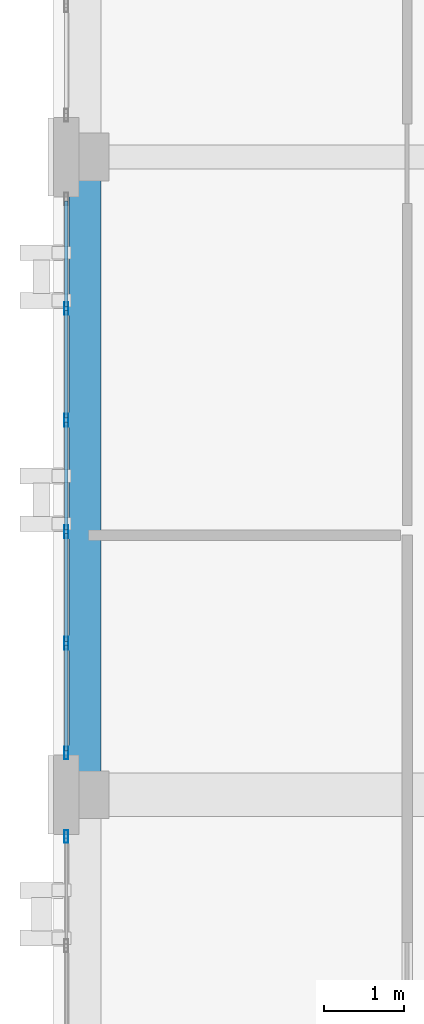
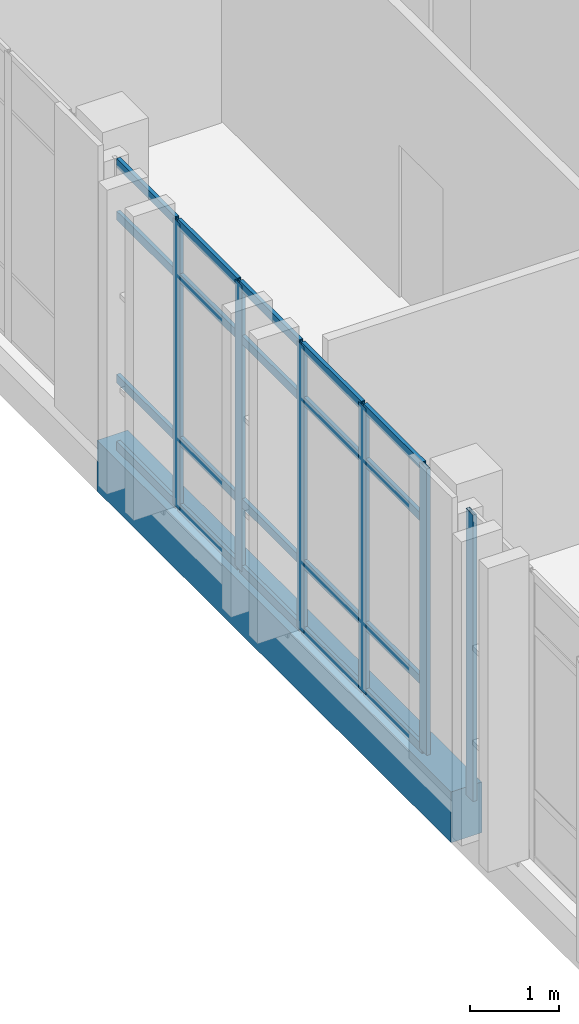
# One storey, part 5 of 19: 26 members, 1 beam, 2 elements without a shape of their own.
"""IFC4 building model written with IfcOpenShell, lengths in metres."""

from ifc_helpers import new_model, si_unit, direction, frame, origin, origin_2d, place, context, subcontext, project, spatial, rectangle, hollow_rectangle, extrude, material, layer, layer_set, material_profile, profile_set, type_object, element, aggregate, save


model = new_model("IFC4")

# Units and contexts
model_context = context("Model", 3, precision=1e-05, world=origin(), true_north=direction((0.0, 1.0)))
body_context = subcontext(model_context, "Body", "Model", "MODEL_VIEW")
ifc_project = project(units=[si_unit("LENGTHUNIT", "METRE"), si_unit("AREAUNIT", "SQUARE_METRE"), si_unit("VOLUMEUNIT", "CUBIC_METRE"), si_unit("PLANEANGLEUNIT", "RADIAN"), si_unit("MASSUNIT", "GRAM", prefix="KILO")], contexts=[model_context])

# Site, building, storey
site_placement = place(None, origin())
site = spatial("IfcSite", under=ifc_project, at=site_placement, CompositionType="ELEMENT")
building_placement = place(site_placement, origin())
building = spatial("IfcBuilding", under=site, at=building_placement, Name="Qalavern Law Courts", CompositionType="ELEMENT")
storey_placement = place(building_placement, frame((0.0, 0.0, 39.60009765625)))
storey = spatial("IfcBuildingStorey", under=building, at=storey_placement, Name="L09", CompositionType="ELEMENT", Elevation=39.60009765625)

# Curtain wall, members
ifc_material_1 = material(Name="Anodised aluminium and insulated glazing", Category="aluminium")
ifc_layer = layer(ifc_material_1, 0.159912109375)
ifc_layer_set = layer_set([ifc_layer], Name="Anodised aluminium and insulated glazing")
curtain_wall_type = type_object("IfcCurtainWallType", Name="ENV-CW-CHAMB", PredefinedType="USERDEFINED", material=ifc_layer_set)
curtain_wall_1_placement = place(storey_placement, origin())
curtain_wall_1 = element("IfcCurtainWall", 1, at=curtain_wall_1_placement, inside=storey, type_object=curtain_wall_type, Name="V4 unitised curtain wall L09 west 3", ObjectType="UNITISED CURTAIN WALL", PredefinedType="USERDEFINED")
ifc_material_2 = material(Name="Anodised aluminium", Category="aluminium")
ifc_material_profile_1 = material_profile(ifc_material_2, hollow_rectangle(XDim=0.048095703125, YDim=0.159912109375, WallThickness=0.00390625, at=origin_2d()), Name="ALU MULLION 48x160")
ifc_profile_set_1 = profile_set([ifc_material_profile_1], Name="Anodised aluminium")
member_type_1 = type_object("IfcMemberType", Name="ENV-CWM-48x160", PredefinedType="MULLION", material=ifc_profile_set_1)
member_1_placement = place(storey_placement, frame((84.362548828125, 55.5, 0.0), z_axis=(0.0, 0.0, 1.0), x_axis=(1.0, 0.0, 0.0)))
member_1 = element("IfcMember", 2, at=member_1_placement, type_object=member_type_1, Name="CW-04 mullion 2", PredefinedType="MULLION", context=body_context, shape_type="SweptSolid", body=[
    extrude(hollow_rectangle(XDim=0.048095703125, YDim=0.159912109375, WallThickness=0.00390625, at=origin_2d()), origin(), (0.0, 0.0, 1.0), 3.949951171875),
])
member_2_placement = place(storey_placement, frame((84.362548828125, 54.10009765625, 0.0), z_axis=(0.0, 0.0, 1.0), x_axis=(1.0, 0.0, 0.0)))
member_2 = element("IfcMember", 3, at=member_2_placement, type_object=member_type_1, Name="CW-04 mullion 3", PredefinedType="MULLION", context=body_context, shape_type="SweptSolid", body=[
    extrude(hollow_rectangle(XDim=0.048095703125, YDim=0.159912109375, WallThickness=0.00390625, at=origin_2d()), origin(), (0.0, 0.0, 1.0), 3.949951171875),
])
member_3_placement = place(storey_placement, frame((84.362548828125, 52.699951171875, 0.0), z_axis=(0.0, 0.0, 1.0), x_axis=(1.0, 0.0, 0.0)))
member_3 = element("IfcMember", 4, at=member_3_placement, type_object=member_type_1, Name="CW-04 mullion 4", PredefinedType="MULLION", context=body_context, shape_type="SweptSolid", body=[
    extrude(hollow_rectangle(XDim=0.048095703125, YDim=0.159912109375, WallThickness=0.00390625, at=origin_2d()), origin(), (0.0, 0.0, 1.0), 3.949951171875),
])
member_4_placement = place(storey_placement, frame((84.362548828125, 51.300048828125, 0.0), z_axis=(0.0, 0.0, 1.0), x_axis=(1.0, 0.0, 0.0)))
member_4 = element("IfcMember", 5, at=member_4_placement, type_object=member_type_1, Name="CW-04 mullion 5", PredefinedType="MULLION", context=body_context, shape_type="SweptSolid", body=[
    extrude(hollow_rectangle(XDim=0.048095703125, YDim=0.159912109375, WallThickness=0.00390625, at=origin_2d()), origin(), (0.0, 0.0, 1.0), 3.949951171875),
])
member_5_placement = place(storey_placement, frame((84.362548828125, 49.924072265625, 0.0), z_axis=(0.0, 0.0, 1.0), x_axis=(1.0, 0.0, 0.0)))
member_5 = element("IfcMember", 6, at=member_5_placement, type_object=member_type_1, Name="CW-04 mullion 6", PredefinedType="MULLION", context=body_context, shape_type="SweptSolid", body=[
    extrude(hollow_rectangle(XDim=0.048095703125, YDim=0.159912109375, WallThickness=0.00390625, at=origin_2d()), origin(), (0.0, 0.0, 1.0), 3.949951171875),
])

# Curtain wall, member
curtain_wall_2_placement = place(storey_placement, origin())
curtain_wall_2 = element("IfcCurtainWall", 7, at=curtain_wall_2_placement, inside=storey, type_object=curtain_wall_type, Name="V4 unitised curtain wall L09 west 4", ObjectType="UNITISED CURTAIN WALL", PredefinedType="USERDEFINED")
member_6_placement = place(storey_placement, frame((84.362548828125, 48.8759765625, 0.0), z_axis=(0.0, 0.0, 1.0), x_axis=(1.0, 0.0, 0.0)))
member_6 = element("IfcMember", 8, at=member_6_placement, type_object=member_type_1, Name="CW-04 mullion 1", PredefinedType="MULLION", context=body_context, shape_type="SweptSolid", body=[
    extrude(hollow_rectangle(XDim=0.048095703125, YDim=0.159912109375, WallThickness=0.00390625, at=origin_2d()), origin(), (0.0, 0.0, 1.0), 3.949951171875),
])
aggregate(curtain_wall_2, [member_6])

# Member
ifc_material_profile_2 = material_profile(ifc_material_2, hollow_rectangle(XDim=0.048095703125, YDim=0.1201171875, WallThickness=0.00390625, at=origin_2d()), Name="ALU TRANSOM 48x120")
ifc_profile_set_2 = profile_set([ifc_material_profile_2], Name="Anodised aluminium")
member_type_2 = type_object("IfcMemberType", Name="ENV-CWT-48x120", PredefinedType="USERDEFINED", material=ifc_profile_set_2)
member_7_placement = place(storey_placement, frame((84.362548828125, 56.85205078125, 0.02392578125), z_axis=(0.0, -1.0, 0.0), x_axis=(1.0, 0.0, 0.0)))
member_7 = element("IfcMember", 9, at=member_7_placement, type_object=member_type_2, Name="CW-04 transom 1.1", ObjectType="TRANSOM", PredefinedType="USERDEFINED", context=body_context, shape_type="SweptSolid", body=[
    extrude(hollow_rectangle(XDim=0.048095703125, YDim=0.1201171875, WallThickness=0.00390625, at=origin_2d()), origin(), (0.0, 0.0, 1.0), 1.328125),
])

member_8_placement = place(storey_placement, frame((84.362548828125, 56.85205078125, 0.949951171875), z_axis=(0.0, -1.0, 0.0), x_axis=(1.0, 0.0, 0.0)))
member_8 = element("IfcMember", 10, at=member_8_placement, type_object=member_type_2, Name="CW-04 transom 1.2", ObjectType="TRANSOM", PredefinedType="USERDEFINED", context=body_context, shape_type="SweptSolid", body=[
    extrude(hollow_rectangle(XDim=0.048095703125, YDim=0.1201171875, WallThickness=0.00390625, at=origin_2d()), origin(), (0.0, 0.0, 1.0), 1.328125),
])

member_9_placement = place(storey_placement, frame((84.362548828125, 56.85205078125, 3.199951171875), z_axis=(0.0, -1.0, 0.0), x_axis=(1.0, 0.0, 0.0)))
member_9 = element("IfcMember", 11, at=member_9_placement, type_object=member_type_2, Name="CW-04 transom 1.3", ObjectType="TRANSOM", PredefinedType="USERDEFINED", context=body_context, shape_type="SweptSolid", body=[
    extrude(hollow_rectangle(XDim=0.048095703125, YDim=0.1201171875, WallThickness=0.00390625, at=origin_2d()), origin(), (0.0, 0.0, 1.0), 1.328125),
])

member_10_placement = place(storey_placement, frame((84.362548828125, 56.85205078125, 3.92578125), z_axis=(0.0, -1.0, 0.0), x_axis=(1.0, 0.0, 0.0)))
member_10 = element("IfcMember", 12, at=member_10_placement, type_object=member_type_2, Name="CW-04 transom 1.4", ObjectType="TRANSOM", PredefinedType="USERDEFINED", context=body_context, shape_type="SweptSolid", body=[
    extrude(hollow_rectangle(XDim=0.048095703125, YDim=0.1201171875, WallThickness=0.00390625, at=origin_2d()), origin(), (0.0, 0.0, 1.0), 1.328125),
])

member_11_placement = place(storey_placement, frame((84.362548828125, 55.47607421875, 0.02392578125), z_axis=(0.0, -1.0, 0.0), x_axis=(1.0, 0.0, 0.0)))
member_11 = element("IfcMember", 13, at=member_11_placement, type_object=member_type_2, Name="CW-04 transom 2.1", ObjectType="TRANSOM", PredefinedType="USERDEFINED", context=body_context, shape_type="SweptSolid", body=[
    extrude(hollow_rectangle(XDim=0.048095703125, YDim=0.1201171875, WallThickness=0.00390625, at=origin_2d()), origin(), (0.0, 0.0, 1.0), 1.35205078125),
])

member_12_placement = place(storey_placement, frame((84.362548828125, 55.47607421875, 0.949951171875), z_axis=(0.0, -1.0, 0.0), x_axis=(1.0, 0.0, 0.0)))
member_12 = element("IfcMember", 14, at=member_12_placement, type_object=member_type_2, Name="CW-04 transom 2.2", ObjectType="TRANSOM", PredefinedType="USERDEFINED", context=body_context, shape_type="SweptSolid", body=[
    extrude(hollow_rectangle(XDim=0.048095703125, YDim=0.1201171875, WallThickness=0.00390625, at=origin_2d()), origin(), (0.0, 0.0, 1.0), 1.35205078125),
])

member_13_placement = place(storey_placement, frame((84.362548828125, 55.47607421875, 3.199951171875), z_axis=(0.0, -1.0, 0.0), x_axis=(1.0, 0.0, 0.0)))
member_13 = element("IfcMember", 15, at=member_13_placement, type_object=member_type_2, Name="CW-04 transom 2.3", ObjectType="TRANSOM", PredefinedType="USERDEFINED", context=body_context, shape_type="SweptSolid", body=[
    extrude(hollow_rectangle(XDim=0.048095703125, YDim=0.1201171875, WallThickness=0.00390625, at=origin_2d()), origin(), (0.0, 0.0, 1.0), 1.35205078125),
])

member_14_placement = place(storey_placement, frame((84.362548828125, 55.47607421875, 3.92578125), z_axis=(0.0, -1.0, 0.0), x_axis=(1.0, 0.0, 0.0)))
member_14 = element("IfcMember", 16, at=member_14_placement, type_object=member_type_2, Name="CW-04 transom 2.4", ObjectType="TRANSOM", PredefinedType="USERDEFINED", context=body_context, shape_type="SweptSolid", body=[
    extrude(hollow_rectangle(XDim=0.048095703125, YDim=0.1201171875, WallThickness=0.00390625, at=origin_2d()), origin(), (0.0, 0.0, 1.0), 1.35205078125),
])

member_15_placement = place(storey_placement, frame((84.362548828125, 54.075927734375, 0.02392578125), z_axis=(0.0, -1.0, 0.0), x_axis=(1.0, 0.0, 0.0)))
member_15 = element("IfcMember", 17, at=member_15_placement, type_object=member_type_2, Name="CW-04 transom 3.1", ObjectType="TRANSOM", PredefinedType="USERDEFINED", context=body_context, shape_type="SweptSolid", body=[
    extrude(hollow_rectangle(XDim=0.048095703125, YDim=0.1201171875, WallThickness=0.00390625, at=origin_2d()), origin(), (0.0, 0.0, 1.0), 1.351806640625),
])

member_16_placement = place(storey_placement, frame((84.362548828125, 54.075927734375, 0.949951171875), z_axis=(0.0, -1.0, 0.0), x_axis=(1.0, 0.0, 0.0)))
member_16 = element("IfcMember", 18, at=member_16_placement, type_object=member_type_2, Name="CW-04 transom 3.2", ObjectType="TRANSOM", PredefinedType="USERDEFINED", context=body_context, shape_type="SweptSolid", body=[
    extrude(hollow_rectangle(XDim=0.048095703125, YDim=0.1201171875, WallThickness=0.00390625, at=origin_2d()), origin(), (0.0, 0.0, 1.0), 1.351806640625),
])

member_17_placement = place(storey_placement, frame((84.362548828125, 54.075927734375, 3.199951171875), z_axis=(0.0, -1.0, 0.0), x_axis=(1.0, 0.0, 0.0)))
member_17 = element("IfcMember", 19, at=member_17_placement, type_object=member_type_2, Name="CW-04 transom 3.3", ObjectType="TRANSOM", PredefinedType="USERDEFINED", context=body_context, shape_type="SweptSolid", body=[
    extrude(hollow_rectangle(XDim=0.048095703125, YDim=0.1201171875, WallThickness=0.00390625, at=origin_2d()), origin(), (0.0, 0.0, 1.0), 1.351806640625),
])

member_18_placement = place(storey_placement, frame((84.362548828125, 54.075927734375, 3.92578125), z_axis=(0.0, -1.0, 0.0), x_axis=(1.0, 0.0, 0.0)))
member_18 = element("IfcMember", 20, at=member_18_placement, type_object=member_type_2, Name="CW-04 transom 3.4", ObjectType="TRANSOM", PredefinedType="USERDEFINED", context=body_context, shape_type="SweptSolid", body=[
    extrude(hollow_rectangle(XDim=0.048095703125, YDim=0.1201171875, WallThickness=0.00390625, at=origin_2d()), origin(), (0.0, 0.0, 1.0), 1.351806640625),
])

member_19_placement = place(storey_placement, frame((84.362548828125, 52.676025390625, 0.02392578125), z_axis=(0.0, -1.0, 0.0), x_axis=(1.0, 0.0, 0.0)))
member_19 = element("IfcMember", 21, at=member_19_placement, type_object=member_type_2, Name="CW-04 transom 4.1", ObjectType="TRANSOM", PredefinedType="USERDEFINED", context=body_context, shape_type="SweptSolid", body=[
    extrude(hollow_rectangle(XDim=0.048095703125, YDim=0.1201171875, WallThickness=0.00390625, at=origin_2d()), origin(), (0.0, 0.0, 1.0), 1.35205078125),
])

member_20_placement = place(storey_placement, frame((84.362548828125, 52.676025390625, 0.949951171875), z_axis=(0.0, -1.0, 0.0), x_axis=(1.0, 0.0, 0.0)))
member_20 = element("IfcMember", 22, at=member_20_placement, type_object=member_type_2, Name="CW-04 transom 4.2", ObjectType="TRANSOM", PredefinedType="USERDEFINED", context=body_context, shape_type="SweptSolid", body=[
    extrude(hollow_rectangle(XDim=0.048095703125, YDim=0.1201171875, WallThickness=0.00390625, at=origin_2d()), origin(), (0.0, 0.0, 1.0), 1.35205078125),
])

member_21_placement = place(storey_placement, frame((84.362548828125, 52.676025390625, 3.199951171875), z_axis=(0.0, -1.0, 0.0), x_axis=(1.0, 0.0, 0.0)))
member_21 = element("IfcMember", 23, at=member_21_placement, type_object=member_type_2, Name="CW-04 transom 4.3", ObjectType="TRANSOM", PredefinedType="USERDEFINED", context=body_context, shape_type="SweptSolid", body=[
    extrude(hollow_rectangle(XDim=0.048095703125, YDim=0.1201171875, WallThickness=0.00390625, at=origin_2d()), origin(), (0.0, 0.0, 1.0), 1.35205078125),
])

member_22_placement = place(storey_placement, frame((84.362548828125, 52.676025390625, 3.92578125), z_axis=(0.0, -1.0, 0.0), x_axis=(1.0, 0.0, 0.0)))
member_22 = element("IfcMember", 24, at=member_22_placement, type_object=member_type_2, Name="CW-04 transom 4.4", ObjectType="TRANSOM", PredefinedType="USERDEFINED", context=body_context, shape_type="SweptSolid", body=[
    extrude(hollow_rectangle(XDim=0.048095703125, YDim=0.1201171875, WallThickness=0.00390625, at=origin_2d()), origin(), (0.0, 0.0, 1.0), 1.35205078125),
])

member_23_placement = place(storey_placement, frame((84.362548828125, 51.27587890625, 0.02392578125), z_axis=(0.0, -1.0, 0.0), x_axis=(1.0, 0.0, 0.0)))
member_23 = element("IfcMember", 25, at=member_23_placement, type_object=member_type_2, Name="CW-04 transom 5.1", ObjectType="TRANSOM", PredefinedType="USERDEFINED", context=body_context, shape_type="SweptSolid", body=[
    extrude(hollow_rectangle(XDim=0.048095703125, YDim=0.1201171875, WallThickness=0.00390625, at=origin_2d()), origin(), (0.0, 0.0, 1.0), 1.327880859375),
])

member_24_placement = place(storey_placement, frame((84.362548828125, 51.27587890625, 0.949951171875), z_axis=(0.0, -1.0, 0.0), x_axis=(1.0, 0.0, 0.0)))
member_24 = element("IfcMember", 26, at=member_24_placement, type_object=member_type_2, Name="CW-04 transom 5.2", ObjectType="TRANSOM", PredefinedType="USERDEFINED", context=body_context, shape_type="SweptSolid", body=[
    extrude(hollow_rectangle(XDim=0.048095703125, YDim=0.1201171875, WallThickness=0.00390625, at=origin_2d()), origin(), (0.0, 0.0, 1.0), 1.327880859375),
])

member_25_placement = place(storey_placement, frame((84.362548828125, 51.27587890625, 3.199951171875), z_axis=(0.0, -1.0, 0.0), x_axis=(1.0, 0.0, 0.0)))
member_25 = element("IfcMember", 27, at=member_25_placement, type_object=member_type_2, Name="CW-04 transom 5.3", ObjectType="TRANSOM", PredefinedType="USERDEFINED", context=body_context, shape_type="SweptSolid", body=[
    extrude(hollow_rectangle(XDim=0.048095703125, YDim=0.1201171875, WallThickness=0.00390625, at=origin_2d()), origin(), (0.0, 0.0, 1.0), 1.327880859375),
])

member_26_placement = place(storey_placement, frame((84.362548828125, 51.27587890625, 3.92578125), z_axis=(0.0, -1.0, 0.0), x_axis=(1.0, 0.0, 0.0)))
member_26 = element("IfcMember", 28, at=member_26_placement, type_object=member_type_2, Name="CW-04 transom 5.4", ObjectType="TRANSOM", PredefinedType="USERDEFINED", context=body_context, shape_type="SweptSolid", body=[
    extrude(hollow_rectangle(XDim=0.048095703125, YDim=0.1201171875, WallThickness=0.00390625, at=origin_2d()), origin(), (0.0, 0.0, 1.0), 1.327880859375),
])

aggregate(curtain_wall_1, [member_1, member_2, member_3, member_4, member_5, member_7, member_8, member_9, member_10, member_11, member_12, member_13, member_14, member_15, member_16, member_17, member_18, member_19, member_20, member_21, member_22, member_23, member_24, member_25, member_26])

# Beam
ifc_material_3 = material(Name="Concrete C40/50", Category="concrete")
ifc_material_profile_3 = material_profile(ifc_material_3, rectangle(XDim=0.39990234375, YDim=0.699951171875, at=origin_2d()), Name="RC 400x700")
ifc_profile_set_3 = profile_set([ifc_material_profile_3], Name="Concrete C40/50")
beam_type = type_object("IfcBeamType", Name="STR-SP-RC400x700", PredefinedType="SPANDREL", material=ifc_profile_set_3)
beam_placement = place(storey_placement, frame((84.60009765625, 49.39990234375, -0.60498046875), z_axis=(0.0, 1.0, 0.0), x_axis=(-1.0, 0.0, 0.0)))
element("IfcBeam", 29, at=beam_placement, inside=storey, type_object=beam_type, Name="V4 Y-beam 1-2 L09", PredefinedType="SPANDREL", context=body_context, shape_type="SweptSolid", body=[
    extrude(rectangle(XDim=0.39990234375, YDim=0.699951171875, at=origin_2d()), origin(), (0.0, 0.0, 1.0), 8.0),
])

save(model, "model.ifc")
